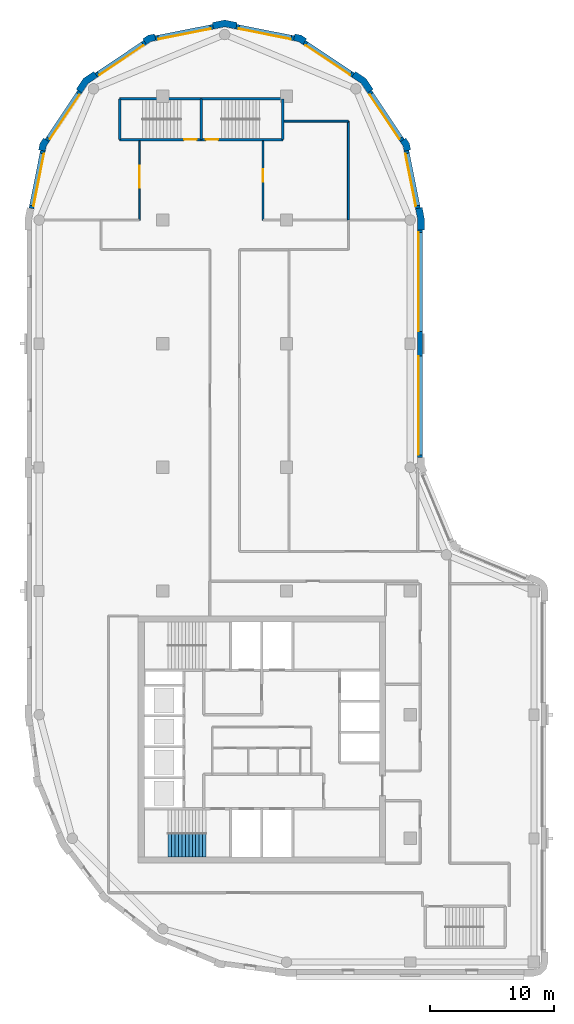
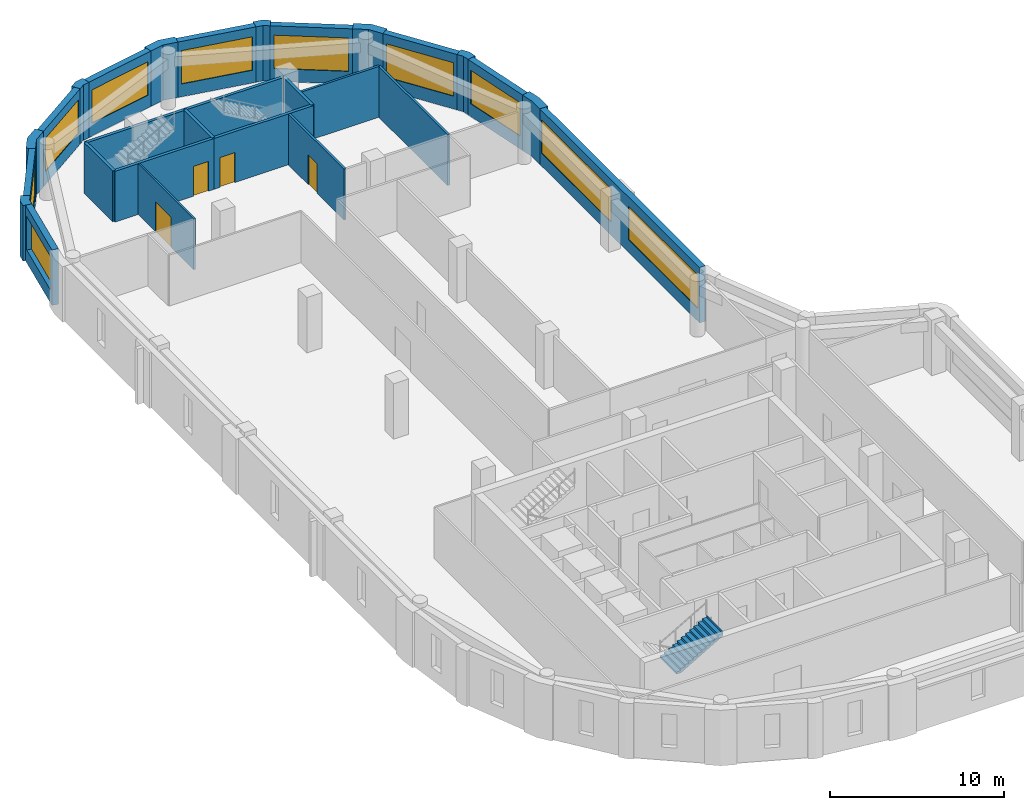
# One storey, part 5 of 8: 28 walls, 10 windows, 4 doors, 1 stair flight, 14 openings, 1 element without a shape of its own.
"""IFC4 building model written with IfcOpenShell, lengths in metres."""

from ifc_helpers import new_model, si_unit, direction, frame, frame_2d, origin, place, context, subcontext, project, spatial, polyline, rectangle, outline, extrude, material, layer, layer_set, type_object, element, fill, aggregate, save


model = new_model("IFC4")

# Units and contexts
model_context = context("Model", 3, precision=1e-05, world=origin(), true_north=direction((0.0, 1.0)))
body_context = subcontext(model_context, "Body", "Model", "MODEL_VIEW")
ifc_project = project(units=[si_unit("LENGTHUNIT", "METRE"), si_unit("AREAUNIT", "SQUARE_METRE"), si_unit("VOLUMEUNIT", "CUBIC_METRE"), si_unit("PLANEANGLEUNIT", "RADIAN"), si_unit("MASSUNIT", "GRAM", prefix="KILO")], contexts=[model_context])

# Site, building, storey
site_placement = place(None, origin())
site = spatial("IfcSite", under=ifc_project, at=site_placement, CompositionType="ELEMENT")
building_placement = place(site_placement, origin())
building = spatial("IfcBuilding", under=site, at=building_placement, Name="Qaws Garden Tower", CompositionType="ELEMENT")
storey_placement = place(building_placement, frame((0.0, 0.0, 337.199951171875)))
storey = spatial("IfcBuildingStorey", under=building, at=storey_placement, Name="L82", CompositionType="ELEMENT", Elevation=337.199951171875)

# Wall, openings, windows
ifc_material_1 = material(Name="Clay facing brick masonry", Category="masonry")
ifc_layer_1 = layer(ifc_material_1, 0.39990234375)
ifc_layer_set_1 = layer_set([ifc_layer_1], Name="Clay facing brick masonry")
wall_type_1 = type_object("IfcWallType", Name="Brick infill wall 400", PredefinedType="SOLIDWALL", material=ifc_layer_set_1)
wall_1_placement = place(storey_placement, frame((30.800048828125, 40.800048828125, 0.0), z_axis=(0.0, 0.0, 1.0), x_axis=(0.0, 1.0, 0.0)))
wall_1 = element("IfcWall", 1, at=wall_1_placement, inside=storey, type_object=wall_type_1, Name="E-L82-infill-07", PredefinedType="SOLIDWALL", context=body_context, shape_type="SweptSolid", body=[
    extrude(rectangle(XDim=18.39990234375, YDim=0.39990234375, at=frame_2d((9.199951171875, 0.0))), origin(), (0.0, 0.0, 1.0), 3.900146484375),
])
opening_1_placement = place(wall_1_placement, frame((0.199951171875, 0.0, 0.89990234375)))
opening_1 = element("IfcOpeningElement", 2, at=opening_1_placement, cuts=wall_1, Name="Opening W01", PredefinedType="OPENING", context=body_context, shape_type="SweptSolid", body=[
    extrude(rectangle(XDim=8.0, YDim=2.35009765625, at=frame_2d((4.0, 1.175048828125))), frame((0.0, 0.2099609375, 0.0), z_axis=(0.0, -1.0, 0.0), x_axis=(1.0, 0.0, 0.0)), (0.0, 0.0, 1.0), 0.419921875),
])
opening_2_placement = place(wall_1_placement, frame((10.199951171875, 0.0, 0.89990234375)))
opening_2 = element("IfcOpeningElement", 3, at=opening_2_placement, cuts=wall_1, Name="Opening W01", PredefinedType="OPENING", context=body_context, shape_type="SweptSolid", body=[
    extrude(rectangle(XDim=8.0, YDim=2.35009765625, at=frame_2d((4.0, 1.175048828125))), frame((0.0, 0.2099609375, 0.0), z_axis=(0.0, -1.0, 0.0), x_axis=(1.0, 0.0, 0.0)), (0.0, 0.0, 1.0), 0.419921875),
])
ifc_material_2 = material(Name="Aluminium framed window, clear glazing", Category="aluminium")
window_type_1 = type_object("IfcWindowType", Name="Ribbon window 8000 x 2350", PartitioningType="DOUBLE_PANEL_VERTICAL", PredefinedType="WINDOW", material=ifc_material_2)
window_1_placement = place(opening_1_placement, origin())
window_1 = element("IfcWindow", 4, at=window_1_placement, inside=storey, type_object=window_type_1, Name="E-L82-window-07-0", OverallHeight=2.35009765625, OverallWidth=8.0, PartitioningType="SINGLE_PANEL", PredefinedType="WINDOW", context=body_context, shape_type="SweptSolid", body=[
    extrude(rectangle(XDim=8.0, YDim=2.35009765625, at=frame_2d((4.0, 1.175048828125))), frame((0.0, 0.159912109375, 0.0), z_axis=(0.0, -1.0, 0.0), x_axis=(1.0, 0.0, 0.0)), (0.0, 0.0, 1.0), 0.06005859375),
])
fill(opening_1, window_1)
window_2_placement = place(opening_2_placement, origin())
window_2 = element("IfcWindow", 5, at=window_2_placement, inside=storey, type_object=window_type_1, Name="E-L82-window-08-0", OverallHeight=2.35009765625, OverallWidth=8.0, PartitioningType="SINGLE_PANEL", PredefinedType="WINDOW", context=body_context, shape_type="SweptSolid", body=[
    extrude(rectangle(XDim=8.0, YDim=2.35009765625, at=frame_2d((4.0, 1.175048828125))), frame((0.0, 0.159912109375, 0.0), z_axis=(0.0, -1.0, 0.0), x_axis=(1.0, 0.0, 0.0)), (0.0, 0.0, 1.0), 0.06005859375),
])
fill(opening_2, window_2)

# Wall, opening, window
wall_2_placement = place(storey_placement, frame((30.628662109375, 60.940673828125, 0.0), z_axis=(0.0, 0.0, 1.0), x_axis=(-0.195098533057, 0.98078364709, 0.0)))
wall_2 = element("IfcWall", 6, at=wall_2_placement, inside=storey, type_object=wall_type_1, Name="E-L82-infill-09", PredefinedType="SOLIDWALL", context=body_context, shape_type="SweptSolid", body=[
    extrude(rectangle(XDim=4.752685546875, YDim=0.39990234375, at=frame_2d((2.37646484375, 0.0))), origin(), (0.0, 0.0, 1.0), 3.900146484375),
])
opening_3_placement = place(wall_2_placement, frame((0.226318359375, 0.0, 0.89990234375)))
opening_3 = element("IfcOpeningElement", 7, at=opening_3_placement, cuts=wall_2, Name="Opening W06", PredefinedType="OPENING", context=body_context, shape_type="SweptSolid", body=[
    extrude(rectangle(XDim=4.300048828125, YDim=2.35009765625, at=frame_2d((2.14990234375, 1.175048828125))), frame((0.0, 0.2099609375, 0.0), z_axis=(0.0, -1.0, 0.0), x_axis=(1.0, 0.0, 0.0)), (0.0, 0.0, 1.0), 0.419921875),
])
ifc_material_3 = material(Name="Aluminium framed window, clear glazing", Category="aluminium")
window_type_2 = type_object("IfcWindowType", Name="Ribbon window 4300 x 2350", PartitioningType="DOUBLE_PANEL_VERTICAL", PredefinedType="WINDOW", material=ifc_material_3)
window_3_placement = place(opening_3_placement, origin())
window_3 = element("IfcWindow", 8, at=window_3_placement, inside=storey, type_object=window_type_2, Name="E-L82-window-09-0", OverallHeight=2.35009765625, OverallWidth=4.300048828125, PartitioningType="SINGLE_PANEL", PredefinedType="WINDOW", context=body_context, shape_type="SweptSolid", body=[
    extrude(rectangle(XDim=4.300048828125, YDim=2.35009765625, at=frame_2d((2.14990234375, 1.175048828125))), frame((0.0, 0.159912109375, 0.0), z_axis=(0.0, -1.0, 0.0), x_axis=(1.0, 0.0, 0.0)), (0.0, 0.0, 1.0), 0.06005859375),
])
fill(opening_3, window_3)

wall_3_placement = place(storey_placement, frame((29.356689453125, 66.43408203125, 0.0), z_axis=(0.0, 0.0, 1.0), x_axis=(-0.555541552266, 0.831488775454, 0.0)))
wall_3 = element("IfcWall", 9, at=wall_3_placement, inside=storey, type_object=wall_type_1, Name="E-L82-infill-10", PredefinedType="SOLIDWALL", context=body_context, shape_type="SweptSolid", body=[
    extrude(rectangle(XDim=4.752685546875, YDim=0.39990234375, at=frame_2d((2.37646484375, 0.0))), origin(), (0.0, 0.0, 1.0), 3.900146484375),
])
opening_4_placement = place(wall_3_placement, frame((0.226318359375, 0.0, 0.89990234375)))
opening_4 = element("IfcOpeningElement", 10, at=opening_4_placement, cuts=wall_3, Name="Opening W06", PredefinedType="OPENING", context=body_context, shape_type="SweptSolid", body=[
    extrude(rectangle(XDim=4.300048828125, YDim=2.35009765625, at=frame_2d((2.14990234375, 1.175048828125))), frame((0.0, 0.2099609375, 0.0), z_axis=(0.0, -1.0, 0.0), x_axis=(1.0, 0.0, 0.0)), (0.0, 0.0, 1.0), 0.419921875),
])
window_4_placement = place(opening_4_placement, origin())
window_4 = element("IfcWindow", 11, at=window_4_placement, inside=storey, type_object=window_type_2, Name="E-L82-window-10-0", OverallHeight=2.35009765625, OverallWidth=4.300048828125, PartitioningType="SINGLE_PANEL", PredefinedType="WINDOW", context=body_context, shape_type="SweptSolid", body=[
    extrude(rectangle(XDim=4.300048828125, YDim=2.35009765625, at=frame_2d((2.14990234375, 1.175048828125))), frame((0.0, 0.159912109375, 0.0), z_axis=(0.0, -1.0, 0.0), x_axis=(1.0, 0.0, 0.0)), (0.0, 0.0, 1.0), 0.06005859375),
])
fill(opening_4, window_4)

wall_4_placement = place(storey_placement, frame((25.385986328125, 71.71630859375, 0.0), z_axis=(0.0, 0.0, 1.0), x_axis=(-0.831488775454, 0.555541552266, 0.0)))
wall_4 = element("IfcWall", 12, at=wall_4_placement, inside=storey, type_object=wall_type_1, Name="E-L82-infill-11", PredefinedType="SOLIDWALL", context=body_context, shape_type="SweptSolid", body=[
    extrude(rectangle(XDim=4.752685546875, YDim=0.39990234375, at=frame_2d((2.37646484375, 0.0))), origin(), (0.0, 0.0, 1.0), 3.900146484375),
])
opening_5_placement = place(wall_4_placement, frame((0.226318359375, 0.0, 0.89990234375)))
opening_5 = element("IfcOpeningElement", 13, at=opening_5_placement, cuts=wall_4, Name="Opening W06", PredefinedType="OPENING", context=body_context, shape_type="SweptSolid", body=[
    extrude(rectangle(XDim=4.300048828125, YDim=2.35009765625, at=frame_2d((2.14990234375, 1.175048828125))), frame((0.0, 0.2099609375, 0.0), z_axis=(0.0, -1.0, 0.0), x_axis=(1.0, 0.0, 0.0)), (0.0, 0.0, 1.0), 0.419921875),
])
window_5_placement = place(opening_5_placement, origin())
window_5 = element("IfcWindow", 14, at=window_5_placement, inside=storey, type_object=window_type_2, Name="E-L82-window-11-0", OverallHeight=2.35009765625, OverallWidth=4.300048828125, PartitioningType="SINGLE_PANEL", PredefinedType="WINDOW", context=body_context, shape_type="SweptSolid", body=[
    extrude(rectangle(XDim=4.300048828125, YDim=2.35009765625, at=frame_2d((2.14990234375, 1.175048828125))), frame((0.0, 0.159912109375, 0.0), z_axis=(0.0, -1.0, 0.0), x_axis=(1.0, 0.0, 0.0)), (0.0, 0.0, 1.0), 0.06005859375),
])
fill(opening_5, window_5)

wall_5_placement = place(storey_placement, frame((20.60205078125, 74.701416015625, 0.0), z_axis=(0.0, 0.0, 1.0), x_axis=(-0.98078364709, 0.195098533057, 0.0)))
wall_5 = element("IfcWall", 15, at=wall_5_placement, inside=storey, type_object=wall_type_1, Name="E-L82-infill-12", PredefinedType="SOLIDWALL", context=body_context, shape_type="SweptSolid", body=[
    extrude(rectangle(XDim=4.752685546875, YDim=0.39990234375, at=frame_2d((2.37646484375, 0.0))), origin(), (0.0, 0.0, 1.0), 3.900146484375),
])
opening_6_placement = place(wall_5_placement, frame((0.226318359375, 0.0, 0.89990234375)))
opening_6 = element("IfcOpeningElement", 16, at=opening_6_placement, cuts=wall_5, Name="Opening W06", PredefinedType="OPENING", context=body_context, shape_type="SweptSolid", body=[
    extrude(rectangle(XDim=4.300048828125, YDim=2.35009765625, at=frame_2d((2.14990234375, 1.175048828125))), frame((0.0, 0.2099609375, 0.0), z_axis=(0.0, -1.0, 0.0), x_axis=(1.0, 0.0, 0.0)), (0.0, 0.0, 1.0), 0.419921875),
])
window_6_placement = place(opening_6_placement, origin())
window_6 = element("IfcWindow", 17, at=window_6_placement, inside=storey, type_object=window_type_2, Name="E-L82-window-12-0", OverallHeight=2.35009765625, OverallWidth=4.300048828125, PartitioningType="SINGLE_PANEL", PredefinedType="WINDOW", context=body_context, shape_type="SweptSolid", body=[
    extrude(rectangle(XDim=4.300048828125, YDim=2.35009765625, at=frame_2d((2.14990234375, 1.175048828125))), frame((0.0, 0.159912109375, 0.0), z_axis=(0.0, -1.0, 0.0), x_axis=(1.0, 0.0, 0.0)), (0.0, 0.0, 1.0), 0.06005859375),
])
fill(opening_6, window_6)

wall_6_placement = place(storey_placement, frame((14.059326171875, 75.628662109375, 0.0), z_axis=(0.0, 0.0, 1.0), x_axis=(-0.98078364709, -0.195098533057, 0.0)))
wall_6 = element("IfcWall", 18, at=wall_6_placement, inside=storey, type_object=wall_type_1, Name="E-L82-infill-13", PredefinedType="SOLIDWALL", context=body_context, shape_type="SweptSolid", body=[
    extrude(rectangle(XDim=4.752685546875, YDim=0.39990234375, at=frame_2d((2.37646484375, 0.0))), origin(), (0.0, 0.0, 1.0), 3.900146484375),
])
opening_7_placement = place(wall_6_placement, frame((0.226318359375, 0.0, 0.89990234375)))
opening_7 = element("IfcOpeningElement", 19, at=opening_7_placement, cuts=wall_6, Name="Opening W06", PredefinedType="OPENING", context=body_context, shape_type="SweptSolid", body=[
    extrude(rectangle(XDim=4.300048828125, YDim=2.35009765625, at=frame_2d((2.14990234375, 1.175048828125))), frame((0.0, 0.2099609375, 0.0), z_axis=(0.0, -1.0, 0.0), x_axis=(1.0, 0.0, 0.0)), (0.0, 0.0, 1.0), 0.419921875),
])
window_7_placement = place(opening_7_placement, origin())
window_7 = element("IfcWindow", 20, at=window_7_placement, inside=storey, type_object=window_type_2, Name="E-L82-window-13-0", OverallHeight=2.35009765625, OverallWidth=4.300048828125, PartitioningType="SINGLE_PANEL", PredefinedType="WINDOW", context=body_context, shape_type="SweptSolid", body=[
    extrude(rectangle(XDim=4.300048828125, YDim=2.35009765625, at=frame_2d((2.14990234375, 1.175048828125))), frame((0.0, 0.159912109375, 0.0), z_axis=(0.0, -1.0, 0.0), x_axis=(1.0, 0.0, 0.0)), (0.0, 0.0, 1.0), 0.06005859375),
])
fill(opening_7, window_7)

wall_7_placement = place(storey_placement, frame((8.56591796875, 74.356689453125, 0.0), z_axis=(0.0, 0.0, 1.0), x_axis=(-0.831488775454, -0.555541552266, 0.0)))
wall_7 = element("IfcWall", 21, at=wall_7_placement, inside=storey, type_object=wall_type_1, Name="E-L82-infill-14", PredefinedType="SOLIDWALL", context=body_context, shape_type="SweptSolid", body=[
    extrude(rectangle(XDim=4.752685546875, YDim=0.39990234375, at=frame_2d((2.37646484375, 0.0))), origin(), (0.0, 0.0, 1.0), 3.900146484375),
])
opening_8_placement = place(wall_7_placement, frame((0.226318359375, 0.0, 0.89990234375)))
opening_8 = element("IfcOpeningElement", 22, at=opening_8_placement, cuts=wall_7, Name="Opening W06", PredefinedType="OPENING", context=body_context, shape_type="SweptSolid", body=[
    extrude(rectangle(XDim=4.300048828125, YDim=2.35009765625, at=frame_2d((2.14990234375, 1.175048828125))), frame((0.0, 0.2099609375, 0.0), z_axis=(0.0, -1.0, 0.0), x_axis=(1.0, 0.0, 0.0)), (0.0, 0.0, 1.0), 0.419921875),
])
window_8_placement = place(opening_8_placement, origin())
window_8 = element("IfcWindow", 23, at=window_8_placement, inside=storey, type_object=window_type_2, Name="E-L82-window-14-0", OverallHeight=2.35009765625, OverallWidth=4.300048828125, PartitioningType="SINGLE_PANEL", PredefinedType="WINDOW", context=body_context, shape_type="SweptSolid", body=[
    extrude(rectangle(XDim=4.300048828125, YDim=2.35009765625, at=frame_2d((2.14990234375, 1.175048828125))), frame((0.0, 0.159912109375, 0.0), z_axis=(0.0, -1.0, 0.0), x_axis=(1.0, 0.0, 0.0)), (0.0, 0.0, 1.0), 0.06005859375),
])
fill(opening_8, window_8)

wall_8_placement = place(storey_placement, frame((3.28369140625, 70.385986328125, 0.0), z_axis=(0.0, 0.0, 1.0), x_axis=(-0.555541552266, -0.831488775454, 0.0)))
wall_8 = element("IfcWall", 24, at=wall_8_placement, inside=storey, type_object=wall_type_1, Name="E-L82-infill-15", PredefinedType="SOLIDWALL", context=body_context, shape_type="SweptSolid", body=[
    extrude(rectangle(XDim=4.752685546875, YDim=0.39990234375, at=frame_2d((2.37646484375, 0.0))), origin(), (0.0, 0.0, 1.0), 3.900146484375),
])
opening_9_placement = place(wall_8_placement, frame((0.226318359375, 0.0, 0.89990234375)))
opening_9 = element("IfcOpeningElement", 25, at=opening_9_placement, cuts=wall_8, Name="Opening W06", PredefinedType="OPENING", context=body_context, shape_type="SweptSolid", body=[
    extrude(rectangle(XDim=4.300048828125, YDim=2.35009765625, at=frame_2d((2.14990234375, 1.175048828125))), frame((0.0, 0.2099609375, 0.0), z_axis=(0.0, -1.0, 0.0), x_axis=(1.0, 0.0, 0.0)), (0.0, 0.0, 1.0), 0.419921875),
])
window_9_placement = place(opening_9_placement, origin())
window_9 = element("IfcWindow", 26, at=window_9_placement, inside=storey, type_object=window_type_2, Name="E-L82-window-15-0", OverallHeight=2.35009765625, OverallWidth=4.300048828125, PartitioningType="SINGLE_PANEL", PredefinedType="WINDOW", context=body_context, shape_type="SweptSolid", body=[
    extrude(rectangle(XDim=4.300048828125, YDim=2.35009765625, at=frame_2d((2.14990234375, 1.175048828125))), frame((0.0, 0.159912109375, 0.0), z_axis=(0.0, -1.0, 0.0), x_axis=(1.0, 0.0, 0.0)), (0.0, 0.0, 1.0), 0.06005859375),
])
fill(opening_9, window_9)

wall_9_placement = place(storey_placement, frame((0.298583984375, 65.60205078125, 0.0), z_axis=(0.0, 0.0, 1.0), x_axis=(-0.195098533057, -0.98078364709, 0.0)))
wall_9 = element("IfcWall", 27, at=wall_9_placement, inside=storey, type_object=wall_type_1, Name="E-L82-infill-16", PredefinedType="SOLIDWALL", context=body_context, shape_type="SweptSolid", body=[
    extrude(rectangle(XDim=4.752685546875, YDim=0.39990234375, at=frame_2d((2.37646484375, 0.0))), origin(), (0.0, 0.0, 1.0), 3.900146484375),
])
opening_10_placement = place(wall_9_placement, frame((0.226318359375, 0.0, 0.89990234375)))
opening_10 = element("IfcOpeningElement", 28, at=opening_10_placement, cuts=wall_9, Name="Opening W06", PredefinedType="OPENING", context=body_context, shape_type="SweptSolid", body=[
    extrude(rectangle(XDim=4.300048828125, YDim=2.35009765625, at=frame_2d((2.14990234375, 1.175048828125))), frame((0.0, 0.2099609375, 0.0), z_axis=(0.0, -1.0, 0.0), x_axis=(1.0, 0.0, 0.0)), (0.0, 0.0, 1.0), 0.419921875),
])
window_10_placement = place(opening_10_placement, origin())
window_10 = element("IfcWindow", 29, at=window_10_placement, inside=storey, type_object=window_type_2, Name="E-L82-window-16-0", OverallHeight=2.35009765625, OverallWidth=4.300048828125, PartitioningType="SINGLE_PANEL", PredefinedType="WINDOW", context=body_context, shape_type="SweptSolid", body=[
    extrude(rectangle(XDim=4.300048828125, YDim=2.35009765625, at=frame_2d((2.14990234375, 1.175048828125))), frame((0.0, 0.159912109375, 0.0), z_axis=(0.0, -1.0, 0.0), x_axis=(1.0, 0.0, 0.0)), (0.0, 0.0, 1.0), 0.06005859375),
])
fill(opening_10, window_10)

# Walls
ifc_material_4 = material(Name="Clay facing brick masonry", Category="masonry")
ifc_layer_2 = layer(ifc_material_4, 0.550048828125)
ifc_layer_set_2 = layer_set([ifc_layer_2], Name="Clay facing brick masonry")
wall_type_2 = type_object("IfcWallType", Name="Brick kink pier 550 x 600", PredefinedType="SOLIDWALL", material=ifc_layer_set_2)
placement = place(storey_placement, origin())
element("IfcWall", 30, at=placement, inside=storey, type_object=wall_type_2, Name="E-L82-pier-10", PredefinedType="SOLIDWALL", context=body_context, shape_type="SweptSolid", body=[
    extrude(outline(polyline([(29.8974609375, 65.64111328125), (30.044677734375, 65.67041015625), (29.94140625, 66.18896484375), (29.647705078125, 66.628662109375), (29.52294921875, 66.545166015625), (29.1904296875, 66.322998046875), (29.42333984375, 65.974365234375), (29.505126953125, 65.56298828125), (29.8974609375, 65.64111328125)])), origin(), (0.0, 0.0, 1.0), 3.900146484375),
])
element("IfcWall", 31, at=placement, inside=storey, type_object=wall_type_2, Name="E-L82-pier-12", PredefinedType="SOLIDWALL", context=body_context, shape_type="SweptSolid", body=[
    extrude(outline(polyline([(21.545166015625, 74.52294921875), (21.628662109375, 74.647705078125), (21.18896484375, 74.94140625), (20.67041015625, 75.044677734375), (20.64111328125, 74.8974609375), (20.56298828125, 74.505126953125), (20.974365234375, 74.42333984375), (21.322998046875, 74.1904296875), (21.545166015625, 74.52294921875)])), origin(), (0.0, 0.0, 1.0), 3.900146484375),
])
element("IfcWall", 32, at=placement, inside=storey, type_object=wall_type_2, Name="E-L82-pier-14", PredefinedType="SOLIDWALL", context=body_context, shape_type="SweptSolid", body=[
    extrude(outline(polyline([(9.35888671875, 74.8974609375), (9.32958984375, 75.044677734375), (8.81103515625, 74.94140625), (8.371337890625, 74.647705078125), (8.454833984375, 74.52294921875), (8.677001953125, 74.1904296875), (9.025634765625, 74.42333984375), (9.43701171875, 74.505126953125), (9.35888671875, 74.8974609375)])), origin(), (0.0, 0.0, 1.0), 3.900146484375),
])
element("IfcWall", 33, at=placement, inside=storey, type_object=wall_type_2, Name="E-L82-pier-16", PredefinedType="SOLIDWALL", context=body_context, shape_type="SweptSolid", body=[
    extrude(outline(polyline([(0.47705078125, 66.545166015625), (0.352294921875, 66.628662109375), (0.05859375, 66.18896484375), (-0.044677734375, 65.67041015625), (0.1025390625, 65.64111328125), (0.494873046875, 65.56298828125), (0.57666015625, 65.974365234375), (0.8095703125, 66.322998046875), (0.47705078125, 66.545166015625)])), origin(), (0.0, 0.0, 1.0), 3.900146484375),
])
ifc_material_5 = material(Name="Clay facing brick masonry", Category="masonry")
ifc_layer_3 = layer(ifc_material_5, 0.550048828125)
ifc_layer_set_3 = layer_set([ifc_layer_3], Name="Clay facing brick masonry")
wall_type_3 = type_object("IfcWallType", Name="Brick pier 550 x 1600", PredefinedType="SOLIDWALL", material=ifc_layer_set_3)
element("IfcWall", 34, at=placement, inside=storey, type_object=wall_type_3, Name="E-L82-pier-09", PredefinedType="SOLIDWALL", context=body_context, shape_type="SweptSolid", body=[
    extrude(outline(polyline([(31.0, 59.199951171875), (31.14990234375, 59.199951171875), (31.14990234375, 60.11328125), (30.971923828125, 61.009033203125), (30.82470703125, 60.979736328125), (30.432373046875, 60.901611328125), (30.60009765625, 60.05908203125), (30.60009765625, 59.199951171875), (31.0, 59.199951171875)])), origin(), (0.0, 0.0, 1.0), 3.900146484375),
])
element("IfcWall", 35, at=placement, inside=storey, type_object=wall_type_3, Name="E-L82-pier-11", PredefinedType="SOLIDWALL", context=body_context, shape_type="SweptSolid", body=[
    extrude(outline(polyline([(26.882568359375, 70.4970703125), (27.00732421875, 70.580322265625), (26.435791015625, 71.435791015625), (25.580322265625, 72.00732421875), (25.4970703125, 71.882568359375), (25.274658203125, 71.550048828125), (26.0390625, 71.0390625), (26.550048828125, 70.274658203125), (26.882568359375, 70.4970703125)])), origin(), (0.0, 0.0, 1.0), 3.900146484375),
])
element("IfcWall", 36, at=placement, inside=storey, type_object=wall_type_3, Name="E-L82-pier-13", PredefinedType="SOLIDWALL", context=body_context, shape_type="SweptSolid", body=[
    extrude(outline(polyline([(15.979736328125, 75.82470703125), (16.009033203125, 75.971923828125), (15.0, 76.172607421875), (13.990966796875, 75.971923828125), (14.020263671875, 75.82470703125), (14.098388671875, 75.432373046875), (15.0, 75.61181640625), (15.901611328125, 75.432373046875), (15.979736328125, 75.82470703125)])), origin(), (0.0, 0.0, 1.0), 3.900146484375),
])
element("IfcWall", 37, at=placement, inside=storey, type_object=wall_type_3, Name="E-L82-pier-15", PredefinedType="SOLIDWALL", context=body_context, shape_type="SweptSolid", body=[
    extrude(outline(polyline([(4.5029296875, 71.882568359375), (4.419677734375, 72.00732421875), (3.564208984375, 71.435791015625), (2.99267578125, 70.580322265625), (3.117431640625, 70.4970703125), (3.449951171875, 70.274658203125), (3.9609375, 71.0390625), (4.725341796875, 71.550048828125), (4.5029296875, 71.882568359375)])), origin(), (0.0, 0.0, 1.0), 3.900146484375),
])

# Wall, opening, door
ifc_material_6 = material(Name="Concrete C60", Category="concrete")
ifc_layer_4 = layer(ifc_material_6, 0.199951171875)
ifc_layer_set_4 = layer_set([ifc_layer_4], Name="Concrete C60")
wall_type_4 = type_object("IfcWallType", Name="Core shaft wall 200 C60", PredefinedType="SHEAR", material=ifc_layer_set_4)
wall_18_placement = place(storey_placement, frame((6.5, 66.5, 0.0), z_axis=(0.0, 0.0, 1.0), x_axis=(1.0, 0.0, 0.0)))
wall_18 = element("IfcWall", 38, at=wall_18_placement, inside=storey, type_object=wall_type_4, Name="Shaft wall", PredefinedType="SHEAR", context=body_context, shape_type="SweptSolid", body=[
    extrude(rectangle(XDim=6.60009765625, YDim=0.199951171875, at=frame_2d((3.300048828125, 0.0))), origin(), (0.0, 0.0, 1.0), 3.580078125),
])
opening_11_placement = place(wall_18_placement, frame((5.22509765625, 0.0, 0.0)))
opening_11 = element("IfcOpeningElement", 39, at=opening_11_placement, cuts=wall_18, Name="Opening SD13", PredefinedType="OPENING", context=body_context, shape_type="SweptSolid", body=[
    extrude(rectangle(XDim=1.0, YDim=2.10009765625, at=frame_2d((0.5, 1.050048828125))), frame((0.0, 0.10986328125, 0.0), z_axis=(0.0, -1.0, 0.0), x_axis=(1.0, 0.0, 0.0)), (0.0, 0.0, 1.0), 0.219970703125),
])
ifc_material_7 = material(Name="Steel S235", Category="steel")
door_type_1 = type_object("IfcDoorType", Name="Stair door 1000x2100", OperationType="SINGLE_SWING_RIGHT", PredefinedType="DOOR", material=ifc_material_7)
door_1_placement = place(opening_11_placement, origin())
door_1 = element("IfcDoor", 40, at=door_1_placement, inside=storey, type_object=door_type_1, Name="Stair 6 door", OperationType="SINGLE_SWING_RIGHT", OverallHeight=2.10009765625, OverallWidth=1.0, PredefinedType="DOOR", context=body_context, shape_type="SweptSolid", body=[
    extrude(rectangle(XDim=1.0, YDim=2.10009765625, at=frame_2d((0.5, 1.050048828125))), frame((0.0, 0.02490234375, 0.0), z_axis=(0.0, -1.0, 0.0), x_axis=(1.0, 0.0, 0.0)), (0.0, 0.0, 1.0), 0.050048828125),
])
fill(opening_11, door_1)

wall_19_placement = place(storey_placement, frame((13.10009765625, 66.5, 0.0), z_axis=(0.0, 0.0, 1.0), x_axis=(1.0, 0.0, 0.0)))
wall_19 = element("IfcWall", 41, at=wall_19_placement, inside=storey, type_object=wall_type_4, Name="Shaft wall", PredefinedType="SHEAR", context=body_context, shape_type="SweptSolid", body=[
    extrude(rectangle(XDim=6.599853515625, YDim=0.199951171875, at=frame_2d((3.2998046875, 0.0))), origin(), (0.0, 0.0, 1.0), 3.580078125),
])
opening_12_placement = place(wall_19_placement, frame((0.375, 0.0, 0.0)))
opening_12 = element("IfcOpeningElement", 42, at=opening_12_placement, cuts=wall_19, Name="Opening SD14", PredefinedType="OPENING", context=body_context, shape_type="SweptSolid", body=[
    extrude(rectangle(XDim=1.0, YDim=2.10009765625, at=frame_2d((0.5, 1.050048828125))), frame((0.0, 0.10986328125, 0.0), z_axis=(0.0, -1.0, 0.0), x_axis=(1.0, 0.0, 0.0)), (0.0, 0.0, 1.0), 0.219970703125),
])
door_2_placement = place(opening_12_placement, origin())
door_2 = element("IfcDoor", 43, at=door_2_placement, inside=storey, type_object=door_type_1, Name="Stair 7 door", OperationType="SINGLE_SWING_LEFT", OverallHeight=2.10009765625, OverallWidth=1.0, PredefinedType="DOOR", context=body_context, shape_type="SweptSolid", body=[
    extrude(rectangle(XDim=1.0, YDim=2.10009765625, at=frame_2d((0.5, 1.050048828125))), frame((0.0, 0.02490234375, 0.0), z_axis=(0.0, -1.0, 0.0), x_axis=(1.0, 0.0, 0.0)), (0.0, 0.0, 1.0), 0.050048828125),
])
fill(opening_12, door_2)

# Walls
wall_20_placement = place(storey_placement, frame((6.5, 69.800048828125, 0.0), z_axis=(0.0, 0.0, 1.0), x_axis=(1.0, 0.0, 0.0)))
element("IfcWall", 44, at=wall_20_placement, inside=storey, type_object=wall_type_4, Name="Shaft wall", PredefinedType="SHEAR", context=body_context, shape_type="SweptSolid", body=[
    extrude(rectangle(XDim=6.60009765625, YDim=0.199951171875, at=frame_2d((3.300048828125, 0.0))), origin(), (0.0, 0.0, 1.0), 3.580078125),
])
wall_21_placement = place(storey_placement, frame((13.10009765625, 69.800048828125, 0.0), z_axis=(0.0, 0.0, 1.0), x_axis=(1.0, 0.0, 0.0)))
element("IfcWall", 45, at=wall_21_placement, inside=storey, type_object=wall_type_4, Name="Shaft wall", PredefinedType="SHEAR", context=body_context, shape_type="SweptSolid", body=[
    extrude(rectangle(XDim=6.599853515625, YDim=0.199951171875, at=frame_2d((3.2998046875, 0.0))), origin(), (0.0, 0.0, 1.0), 3.580078125),
])
for number, where, z_axis, x_axis, name in (
    (46, (6.5, 66.5, 0.0), (0.0, 0.0, 1.0), (0.0, 1.0, 0.0), "Shaft wall"),
    (47, (13.10009765625, 66.5, 0.0), (0.0, 0.0, 1.0), (0.0, 1.0, 0.0), "Shaft wall"),
    (48, (19.699951171875, 66.5, 0.0), (0.0, 0.0, 1.0), (0.0, 1.0, 0.0), "Shaft wall"),
):
    element("IfcWall", number, at=place(storey_placement, frame(where, z_axis=z_axis, x_axis=x_axis)), inside=storey, type_object=wall_type_4, Name=name, PredefinedType="SHEAR", context=body_context, shape_type="SweptSolid", body=[
        extrude(rectangle(XDim=3.300048828125, YDim=0.199951171875, at=frame_2d((1.64990234375, 0.0))), origin(), (0.0, 0.0, 1.0), 3.580078125),
    ])

# Wall, opening, door
ifc_material_8 = material(Name="Glass and aluminium framing", Category="aluminium")
ifc_layer_5 = layer(ifc_material_8, 0.1201171875)
ifc_layer_set_5 = layer_set([ifc_layer_5], Name="Glass and aluminium framing")
wall_type_5 = type_object("IfcWallType", Name="GLAZED PARTITION 120 EI 30", PredefinedType="PARTITIONING", material=ifc_layer_set_5)
wall_22_placement = place(storey_placement, frame((8.10009765625, 60.0, 0.0), z_axis=(0.0, 0.0, 1.0), x_axis=(0.0, 1.0, 0.0)))
wall_22 = element("IfcWall", 49, at=wall_22_placement, inside=storey, type_object=wall_type_5, Name="O-L82-wall-033", PredefinedType="PARTITIONING", context=body_context, shape_type="SweptSolid", body=[
    extrude(rectangle(XDim=6.39990234375, YDim=0.1201171875, at=frame_2d((3.199951171875, 0.0))), origin(), (0.0, 0.0, 1.0), 3.580078125),
])
opening_13_placement = place(wall_22_placement, frame((2.60009765625, 0.0, 0.0)))
opening_13 = element("IfcOpeningElement", 50, at=opening_13_placement, cuts=wall_22, Name="Opening C910", PredefinedType="OPENING", context=body_context, shape_type="SweptSolid", body=[
    extrude(rectangle(XDim=1.800048828125, YDim=2.10009765625, at=frame_2d((0.89990234375, 1.050048828125))), frame((0.0, 0.070068359375, 0.0), z_axis=(0.0, -1.0, 0.0), x_axis=(1.0, 0.0, 0.0)), (0.0, 0.0, 1.0), 0.14013671875),
])
ifc_material_9 = material(Name="Timber door leaf", Category="wood")
door_type_2 = type_object("IfcDoorType", Name="DOUBLE DOOR 1800 X 2100", OperationType="DOUBLE_DOOR_SINGLE_SWING", PredefinedType="DOOR", material=ifc_material_9)
door_3_placement = place(opening_13_placement, origin())
door_3 = element("IfcDoor", 51, at=door_3_placement, inside=storey, type_object=door_type_2, Name="O-L82-door-010", OperationType="DOUBLE_DOOR_SINGLE_SWING", OverallHeight=2.10009765625, OverallWidth=1.800048828125, PredefinedType="DOOR", context=body_context, shape_type="SweptSolid", body=[
    extrude(rectangle(XDim=1.800048828125, YDim=2.10009765625, at=frame_2d((0.89990234375, 1.050048828125))), frame((0.0, 0.02490234375, 0.0), z_axis=(0.0, -1.0, 0.0), x_axis=(1.0, 0.0, 0.0)), (0.0, 0.0, 1.0), 0.050048828125),
])
fill(opening_13, door_3)

ifc_material_10 = material(Name="Gypsum board partition")
ifc_layer_6 = layer(ifc_material_10, 0.14990234375)
ifc_layer_set_6 = layer_set([ifc_layer_6], Name="Gypsum board partition")
wall_type_6 = type_object("IfcWallType", Name="PARTITION 150 EI 60", PredefinedType="PARTITIONING", material=ifc_layer_set_6)
wall_23_placement = place(storey_placement, frame((18.10009765625, 60.0, 0.0), z_axis=(0.0, 0.0, 1.0), x_axis=(0.0, 1.0, 0.0)))
wall_23 = element("IfcWall", 52, at=wall_23_placement, inside=storey, type_object=wall_type_6, Name="O-L82-wall-003", PredefinedType="PARTITIONING", context=body_context, shape_type="SweptSolid", body=[
    extrude(rectangle(XDim=6.39990234375, YDim=0.14990234375, at=frame_2d((3.199951171875, 0.0))), origin(), (0.0, 0.0, 1.0), 3.580078125),
])
opening_14_placement = place(wall_23_placement, frame((3.10009765625, 0.0, 0.0)))
opening_14 = element("IfcOpeningElement", 53, at=opening_14_placement, cuts=wall_23, Name="Opening C909", PredefinedType="OPENING", context=body_context, shape_type="SweptSolid", body=[
    extrude(rectangle(XDim=1.0, YDim=2.10009765625, at=frame_2d((0.5, 1.050048828125))), frame((0.0, 0.0849609375, 0.0), z_axis=(0.0, -1.0, 0.0), x_axis=(1.0, 0.0, 0.0)), (0.0, 0.0, 1.0), 0.169921875),
])
ifc_material_11 = material(Name="Timber door leaf", Category="wood")
door_type_3 = type_object("IfcDoorType", Name="TENANCY ENTRANCE DOOR 1000 X 2100", OperationType="SINGLE_SWING_LEFT", PredefinedType="DOOR", material=ifc_material_11)
door_4_placement = place(opening_14_placement, frame((1.0, 0.0, 0.0), z_axis=(0.0, 0.0, 1.0), x_axis=(-1.0, 0.0, 0.0)))
door_4 = element("IfcDoor", 54, at=door_4_placement, inside=storey, type_object=door_type_3, Name="O-L82-door-009", OperationType="SINGLE_SWING_RIGHT", OverallHeight=2.10009765625, OverallWidth=1.0, PredefinedType="DOOR", context=body_context, shape_type="SweptSolid", body=[
    extrude(rectangle(XDim=1.0, YDim=2.10009765625, at=frame_2d((0.5, 1.050048828125))), frame((0.0, 0.02490234375, 0.0), z_axis=(0.0, -1.0, 0.0), x_axis=(1.0, 0.0, 0.0)), (0.0, 0.0, 1.0), 0.050048828125),
])
fill(opening_14, door_4)

# Walls
wall_24_placement = place(storey_placement, frame((25.0, 60.0, 0.0), z_axis=(0.0, 0.0, 1.0), x_axis=(0.0, 1.0, 0.0)))
element("IfcWall", 55, at=wall_24_placement, inside=storey, type_object=wall_type_6, Name="O-L82-wall-007", PredefinedType="PARTITIONING", context=body_context, shape_type="SweptSolid", body=[
    extrude(rectangle(XDim=8.0, YDim=0.14990234375, at=frame_2d((4.0, 0.0))), origin(), (0.0, 0.0, 1.0), 3.580078125),
])
wall_25_placement = place(storey_placement, frame((19.800048828125, 68.0, 0.0), z_axis=(0.0, 0.0, 1.0), x_axis=(1.0, 0.0, 0.0)))
element("IfcWall", 56, at=wall_25_placement, inside=storey, type_object=wall_type_6, Name="O-L82-wall-030", PredefinedType="PARTITIONING", context=body_context, shape_type="SweptSolid", body=[
    extrude(rectangle(XDim=5.199951171875, YDim=0.14990234375, at=frame_2d((2.60009765625, 0.0))), origin(), (0.0, 0.0, 1.0), 3.580078125),
])

# Stair, stair flight
ifc_material_12 = material(Name="Concrete C40", Category="concrete")
stair_type = type_object("IfcStairType", Name="Exit stair 1500", PredefinedType="HALF_TURN_STAIR", material=ifc_material_12)
stair = element("IfcStair", 57, at=placement, inside=storey, type_object=stair_type, Name="Stair 1", PredefinedType="HALF_TURN_STAIR")
ifc_material_13 = material(Name="Concrete C40", Category="concrete")
stair_flight_type = type_object("IfcStairFlightType", Name="Stair flight 1500", PredefinedType="STRAIGHT", material=ifc_material_13)
stair_flight_placement = place(storey_placement, frame((10.419921875, 9.449951171875, 1.949951171875), z_axis=(0.0, 0.0, 1.0), x_axis=(1.0, 0.0, 0.0)))
stair_flight = element("IfcStairFlight", 58, at=stair_flight_placement, type_object=stair_flight_type, Name="ST1 flight 2", NumberOfRisers=12, NumberOfTreads=11, PredefinedType="STRAIGHT", RiserHeight=0.1625, TreadLength=0.28, context=body_context, shape_type="SweptSolid", body=[
    extrude(outline(polyline([(-0.0029296875, 0.0), (-0.0029296875, 0.16259765625), (0.0, 0.16259765625), (0.280029296875, 0.16259765625), (0.280029296875, 0.324951171875), (0.56005859375, 0.324951171875), (0.56005859375, 0.487548828125), (0.840087890625, 0.487548828125), (0.840087890625, 0.64990234375), (1.1201171875, 0.64990234375), (1.1201171875, 0.8125), (1.39990234375, 0.8125), (1.39990234375, 0.97509765625), (1.679931640625, 0.97509765625), (1.679931640625, 1.137451171875), (1.9599609375, 1.137451171875), (1.9599609375, 1.300048828125), (2.239990234375, 1.300048828125), (2.239990234375, 1.46240234375), (2.52001953125, 1.46240234375), (2.52001953125, 1.625), (2.800048828125, 1.625), (2.800048828125, 1.78759765625), (3.080078125, 1.78759765625), (3.080078125, 1.949951171875), (3.0830078125, 1.949951171875), (3.0830078125, 1.6142578125), (3.080078125, 1.6142578125), (0.298583984375, 0.0), (-0.0029296875, 0.0)])), frame((0.0, 0.949951171875, 0.0), z_axis=(0.0, -1.0, 0.0), x_axis=(1.0, 0.0, 0.0)), (0.0, 0.0, 1.0), 1.89990234375),
])
aggregate(stair, [stair_flight])

save(model, "model.ifc")
